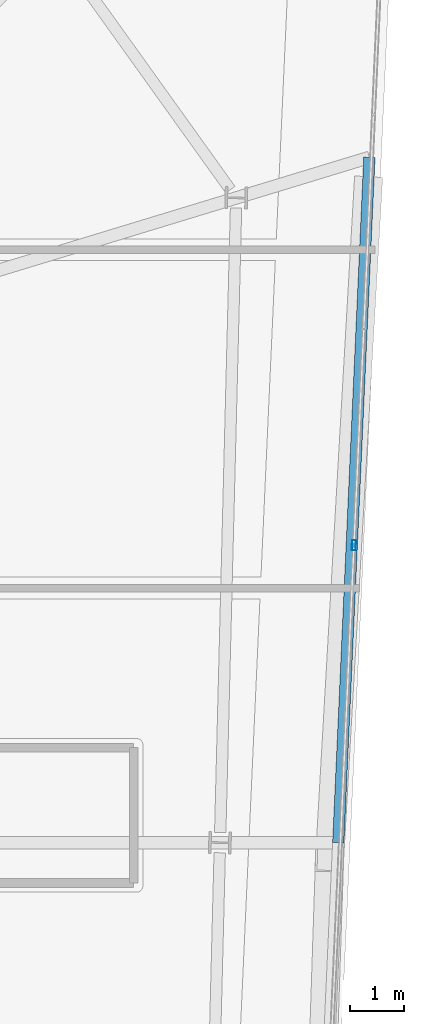
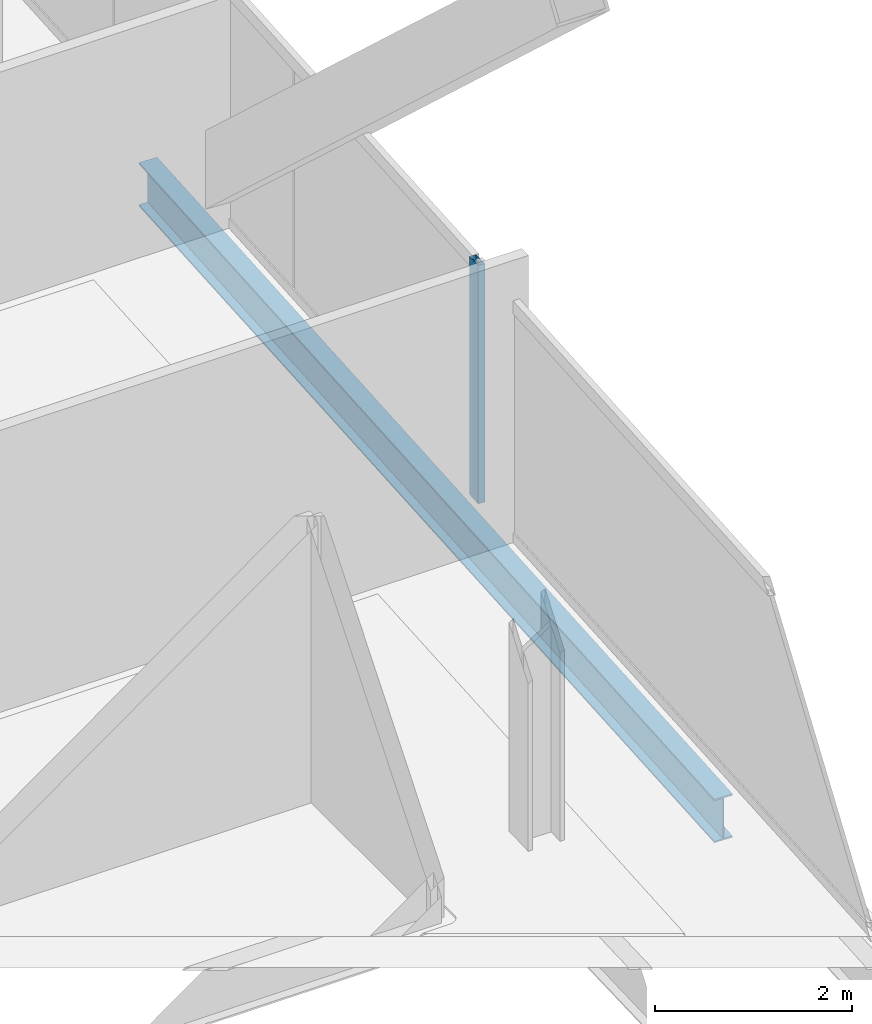
# One storey, part 13 of 26: 1 beam, 1 member, 1 element without a shape of its own.
"""IFC4 building model written with IfcOpenShell, lengths in metres."""

from ifc_helpers import new_model, si_unit, direction, frame, origin, origin_2d, place, context, subcontext, project, spatial, hollow_rectangle, i_section, extrude, material, material_profile, profile_set, type_object, element, aggregate, save


model = new_model("IFC4")

# Units and contexts
model_context = context("Model", 3, precision=1e-05, world=origin(), true_north=direction((0.0, 1.0)))
body_context = subcontext(model_context, "Body", "Model", "MODEL_VIEW")
ifc_project = project(units=[si_unit("LENGTHUNIT", "METRE"), si_unit("AREAUNIT", "SQUARE_METRE"), si_unit("VOLUMEUNIT", "CUBIC_METRE"), si_unit("PLANEANGLEUNIT", "RADIAN"), si_unit("MASSUNIT", "GRAM", prefix="KILO")], contexts=[model_context])

# Site, building, storey
site_placement = place(None, origin())
site = spatial("IfcSite", under=ifc_project, at=site_placement, CompositionType="ELEMENT")
building_placement = place(site_placement, origin())
building = spatial("IfcBuilding", under=site, at=building_placement, Name="Haldenkirk Collegiate Tower", CompositionType="ELEMENT")
storey_placement = place(building_placement, frame((0.0, 0.0, 321.449951171875)))
storey = spatial("IfcBuildingStorey", under=building, at=storey_placement, Name="L81", CompositionType="ELEMENT", Elevation=321.449951171875)

# Beam
ifc_material_1 = material(Name="Steel ASTM A992 Grade 50", Category="steel")
ifc_material_profile_1 = material_profile(ifc_material_1, i_section(OverallWidth=0.2099609375, OverallDepth=0.537109375, WebThickness=0.010986328125, FlangeThickness=0.017333984375, at=origin_2d()), Name="W21X68")
ifc_profile_set_1 = profile_set([ifc_material_profile_1], Name="Steel ASTM A992 Grade 50")
beam_type = type_object("IfcBeamType", Name="BM-SPANDREL-W21X68", PredefinedType="SPANDREL", material=ifc_profile_set_1)
beam_placement = place(storey_placement, frame((58.079833984375, 25.496337890625, -0.528564453125), z_axis=(0.045363971975, 0.998970525114, 0.0), x_axis=(-0.998970525114, 0.045363971975, 0.0)))
element("IfcBeam", 1, at=beam_placement, inside=storey, type_object=beam_type, Name="L81 outer facade edge beam 1B", PredefinedType="SPANDREL", context=body_context, shape_type="SweptSolid", body=[
    extrude(i_section(OverallWidth=0.2099609375, OverallDepth=0.537109375, WebThickness=0.010986328125, FlangeThickness=0.017333984375, at=origin_2d()), origin(), (0.0, 0.0, 1.0), 12.674072265625),
])

# Curtain wall, member
ifc_material_2 = material(Name="Anodised architectural bronze aluminium", Category="aluminium")
curtain_wall_type = type_object("IfcCurtainWallType", Name="CW-SYS2-CONCAVE", PredefinedType="USERDEFINED", material=ifc_material_2)
curtain_wall_placement = place(storey_placement, origin())
curtain_wall = element("IfcCurtainWall", 2, at=curtain_wall_placement, inside=storey, type_object=curtain_wall_type, Name="L81 South concave recessed bronze-anodised curtain wall", ObjectType="UNITISED CURTAIN WALL", PredefinedType="USERDEFINED")
ifc_material_profile_2 = material_profile(ifc_material_2, hollow_rectangle(XDim=0.074951171875, YDim=0.18994140625, WallThickness=0.0048828125, at=origin_2d()), Name="CW-MUL-02")
ifc_profile_set_2 = profile_set([ifc_material_profile_2], Name="Anodised architectural bronze aluminium")
member_type = type_object("IfcMemberType", Name="CW-MUL-02", PredefinedType="MULLION", material=ifc_profile_set_2)
member_placement = place(storey_placement, frame((58.369384765625, 30.990478515625, 0.0), z_axis=(0.0, 0.0, 1.0), x_axis=(0.998970520939, -0.045364063906, 0.0)))
member = element("IfcMember", 3, at=member_placement, type_object=member_type, Name="CW-02 mullion 2", PredefinedType="MULLION", context=body_context, shape_type="SweptSolid", body=[
    extrude(hollow_rectangle(XDim=0.074951171875, YDim=0.18994140625, WallThickness=0.0048828125, at=origin_2d()), origin(), (0.0, 0.0, 1.0), 2.947998046875),
])
aggregate(curtain_wall, [member])

save(model, "model.ifc")
